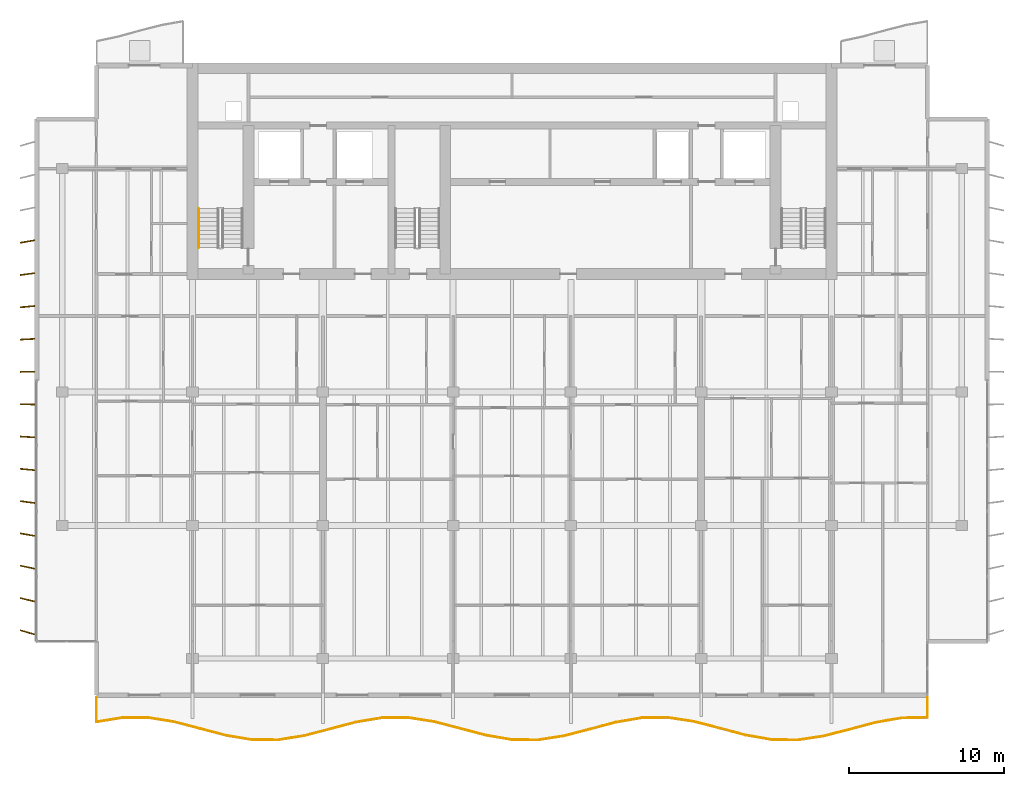
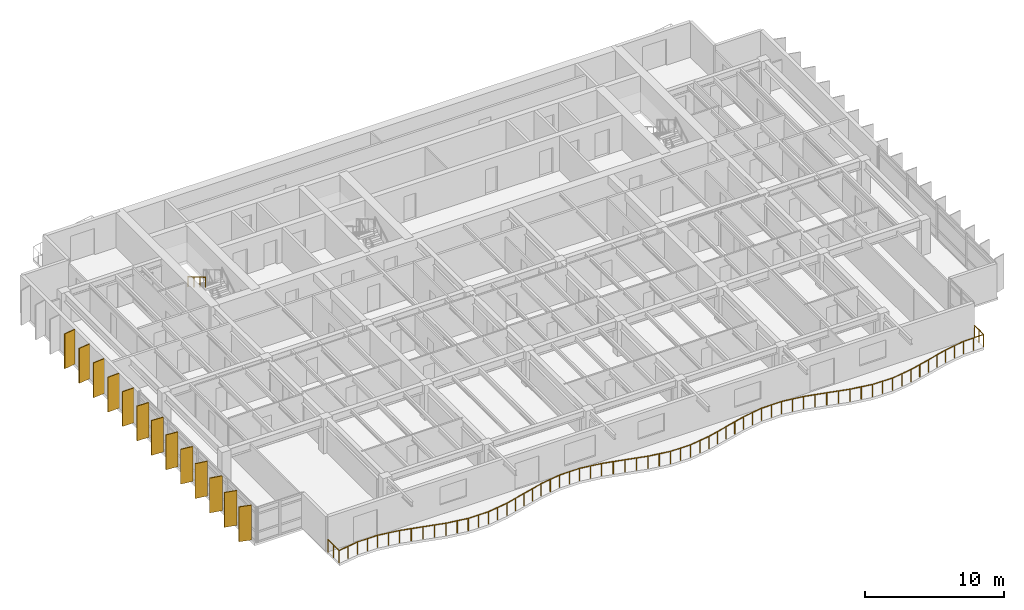
# One storey, part 13 of 17: 13 shading devices, 2 railings.
"""IFC4 building model written with IfcOpenShell, lengths in metres."""

from ifc_helpers import new_model, si_unit, direction, frame, origin, origin_2d, place, context, subcontext, project, spatial, rectangle, circle, extrude, material, material_profile, profile_set, type_object, element, save


model = new_model("IFC4")

# Units and contexts
model_context = context("Model", 3, precision=1e-05, world=origin(), true_north=direction((0.0, 1.0)))
body_context = subcontext(model_context, "Body", "Model", "MODEL_VIEW")
ifc_project = project(units=[si_unit("LENGTHUNIT", "METRE"), si_unit("AREAUNIT", "SQUARE_METRE"), si_unit("VOLUMEUNIT", "CUBIC_METRE"), si_unit("PLANEANGLEUNIT", "RADIAN"), si_unit("MASSUNIT", "GRAM", prefix="KILO")], contexts=[model_context])

# Site, building, storey
site_placement = place(None, origin())
site = spatial("IfcSite", under=ifc_project, at=site_placement, CompositionType="ELEMENT")
building_placement = place(site_placement, origin())
building = spatial("IfcBuilding", under=site, at=building_placement, Name="Caelmar Bay Residences", CompositionType="ELEMENT")
storey_placement = place(building_placement, frame((0.0, 0.0, 259.5)))
storey = spatial("IfcBuildingStorey", under=building, at=storey_placement, Name="L73", CompositionType="ELEMENT", Elevation=259.5)

# Railings
ifc_material_1 = material(Name="Anodised bronze handrail with laminated hurricane glass infill", Category="glass")
railing_type_1 = type_object("IfcRailingType", Name="RL-BAL-1100", PredefinedType="BALUSTRADE", material=ifc_material_1)
railing_1_placement = place(storey_placement, frame((12.10009765625, 9.699951171875, 0.0)))
element("IfcRailing", 1, at=railing_1_placement, inside=storey, type_object=railing_type_1, Name="L73 south Balcony Balustrade", PredefinedType="BALUSTRADE", context=body_context, shape_type="SweptSolid", body=[
    extrude(circle(Radius=0.02392578125, at=origin_2d()), frame((0.0, 0.0, 1.076171875), z_axis=(0.0, -1.0, 0.0), x_axis=(1.0, 0.0, 0.0)), (0.0, 0.0, 1.0), 1.5791015625),
    extrude(circle(Radius=0.02392578125, at=origin_2d()), frame((0.0, -1.5791015625, 1.076171875), z_axis=(0.987069814186, 0.160290929009, 0.0), x_axis=(-0.160290929009, 0.987069814186, 0.0)), (0.0, 0.0, 1.0), 1.69677734375),
    extrude(circle(Radius=0.02392578125, at=origin_2d()), frame((1.6748046875, -1.30712890625, 1.076171875), z_axis=(0.999999617618, 0.000874507755, 0.0), x_axis=(-0.000874507755, 0.999999617618, 0.0)), (0.0, 0.0, 1.0), 1.675048828125),
    extrude(circle(Radius=0.02392578125, at=origin_2d()), frame((3.349853515625, -1.3056640625, 1.076171875), z_axis=(0.987254980972, -0.15914648141, 0.0), x_axis=(0.15914648141, 0.987254980972, 0.0)), (0.0, 0.0, 1.0), 1.69677734375),
    extrude(circle(Radius=0.02392578125, at=origin_2d()), frame((5.02490234375, -1.57568359375, 1.076171875), z_axis=(0.967369754979, -0.253368816455, 0.0), x_axis=(0.253368816455, 0.967369754979, 0.0)), (0.0, 0.0, 1.0), 1.7314453125),
    extrude(circle(Radius=0.02392578125, at=origin_2d()), frame((6.699951171875, -2.014404296875, 1.076171875), z_axis=(0.967092793204, -0.254423916591, 0.0), x_axis=(0.254423916591, 0.967092793204, 0.0)), (0.0, 0.0, 1.0), 1.73193359375),
    extrude(circle(Radius=0.02392578125, at=origin_2d()), frame((8.375, -2.455078125, 1.076171875), z_axis=(0.986749248212, -0.162252646062, 0.0), x_axis=(0.162252646062, 0.986749248212, 0.0)), (0.0, 0.0, 1.0), 1.697265625),
    extrude(circle(Radius=0.02392578125, at=origin_2d()), frame((10.0498046875, -2.73046875, 1.076171875), z_axis=(0.999993881941, -0.003498010956, 0.0), x_axis=(0.003498010956, 0.999993881941, 0.0)), (0.0, 0.0, 1.0), 1.675048828125),
    extrude(circle(Radius=0.02392578125, at=origin_2d()), frame((11.724853515625, -2.736328125, 1.076171875), z_axis=(0.987591978571, 0.157041662822, 0.0), x_axis=(-0.157041662822, 0.987591978571, 0.0)), (0.0, 0.0, 1.0), 1.696044921875),
    extrude(circle(Radius=0.02392578125, at=origin_2d()), frame((13.39990234375, -2.469970703125, 1.076171875), z_axis=(0.967542351628, 0.252708919125, 0.0), x_axis=(-0.252708919125, 0.967542351628, 0.0)), (0.0, 0.0, 1.0), 1.731201171875),
    extrude(circle(Radius=0.02392578125, at=origin_2d()), frame((15.074951171875, -2.032470703125, 1.076171875), z_axis=(0.966919188711, 0.255082893393, 0.0), x_axis=(-0.255082893393, 0.966919188711, 0.0)), (0.0, 0.0, 1.0), 1.732421875),
    extrude(circle(Radius=0.02392578125, at=origin_2d()), frame((16.75, -1.590576171875, 1.076171875), z_axis=(0.98640169518, 0.164352352419, 0.0), x_axis=(-0.164352352419, 0.98640169518, 0.0)), (0.0, 0.0, 1.0), 1.697998046875),
    extrude(circle(Radius=0.02392578125, at=origin_2d()), frame((18.4248046875, -1.3115234375, 1.076171875), z_axis=(0.999983005669, 0.00582995485, 0.0), x_axis=(-0.00582995485, 0.999983005669, 0.0)), (0.0, 0.0, 1.0), 1.675048828125),
    extrude(circle(Radius=0.02392578125, at=origin_2d()), frame((20.099853515625, -1.3017578125, 1.076171875), z_axis=(0.987924712766, -0.154934702075, 0.0), x_axis=(0.154934702075, 0.987924712766, 0.0)), (0.0, 0.0, 1.0), 1.695556640625),
    extrude(circle(Radius=0.02392578125, at=origin_2d()), frame((21.77490234375, -1.564453125, 1.076171875), z_axis=(0.967783333474, -0.251784470231, 0.0), x_axis=(0.251784470231, 0.967783333474, 0.0)), (0.0, 0.0, 1.0), 1.730712890625),
    extrude(circle(Radius=0.02392578125, at=origin_2d()), frame((23.449951171875, -2.000244140625, 1.076171875), z_axis=(0.966710353351, -0.255873196573, 0.0), x_axis=(0.255873196573, 0.966710353351, 0.0)), (0.0, 0.0, 1.0), 1.732666015625),
    extrude(circle(Radius=0.02392578125, at=origin_2d()), frame((25.125, -2.443603515625, 1.076171875), z_axis=(0.986097071045, -0.166170293605, 0.0), x_axis=(0.166170293605, 0.986097071045, 0.0)), (0.0, 0.0, 1.0), 1.698486328125),
    extrude(circle(Radius=0.02392578125, at=origin_2d()), frame((26.7998046875, -2.725830078125, 1.076171875), z_axis=(0.999963027816, -0.008599011608, 0.0), x_axis=(0.008599011608, 0.999963027816, 0.0)), (0.0, 0.0, 1.0), 1.675048828125),
    extrude(circle(Radius=0.02392578125, at=origin_2d()), frame((28.474853515625, -2.740234375, 1.076171875), z_axis=(0.98823140632, 0.152966295513, 0.0), x_axis=(-0.152966295513, 0.98823140632, 0.0)), (0.0, 0.0, 1.0), 1.695068359375),
    extrude(circle(Radius=0.02392578125, at=origin_2d()), frame((30.14990234375, -2.48095703125, 1.076171875), z_axis=(0.967989281266, 0.250991536419, 0.0), x_axis=(-0.250991536419, 0.967989281266, 0.0)), (0.0, 0.0, 1.0), 1.73046875),
    extrude(circle(Radius=0.02392578125, at=origin_2d()), frame((31.824951171875, -2.046630859375, 1.076171875), z_axis=(0.966535899722, 0.256531390962, 0.0), x_axis=(-0.256531390962, 0.966535899722, 0.0)), (0.0, 0.0, 1.0), 1.733154296875),
    extrude(circle(Radius=0.02392578125, at=origin_2d()), frame((33.5, -1.60205078125, 1.076171875), z_axis=(0.985765482571, 0.168126182887, 0.0), x_axis=(-0.168126182887, 0.985765482571, 0.0)), (0.0, 0.0, 1.0), 1.698974609375),
    extrude(circle(Radius=0.02392578125, at=origin_2d()), frame((35.1748046875, -1.31640625, 1.076171875), z_axis=(0.999938654546, 0.011076422933, 0.0), x_axis=(-0.011076422933, 0.999938654546, 0.0)), (0.0, 0.0, 1.0), 1.675048828125),
    extrude(circle(Radius=0.02392578125, at=origin_2d()), frame((36.849853515625, -1.2978515625, 1.076171875), z_axis=(0.98855586007, -0.150855266797, 0.0), x_axis=(0.150855266797, 0.98855586007, 0.0)), (0.0, 0.0, 1.0), 1.6943359375),
    extrude(circle(Radius=0.02392578125, at=origin_2d()), frame((38.52490234375, -1.553466796875, 1.076171875), z_axis=(0.968194666502, -0.250198097028, 0.0), x_axis=(0.250198097028, 0.968194666502, 0.0)), (0.0, 0.0, 1.0), 1.72998046875),
    extrude(circle(Radius=0.02392578125, at=origin_2d()), frame((40.199951171875, -1.986328125, 1.076171875), z_axis=(0.966396059685, -0.257057689684, 0.0), x_axis=(0.257057689684, 0.966396059685, 0.0)), (0.0, 0.0, 1.0), 1.7333984375),
    extrude(circle(Radius=0.02392578125, at=origin_2d()), frame((41.875, -2.431884765625, 1.076171875), z_axis=(0.98540615772, -0.170219576807, 0.0), x_axis=(0.170219576807, 0.98540615772, 0.0)), (0.0, 0.0, 1.0), 1.69970703125),
    extrude(circle(Radius=0.02392578125, at=origin_2d()), frame((43.5498046875, -2.72119140625, 1.076171875), z_axis=(0.999906159624, -0.013699341059, 0.0), x_axis=(0.013699341059, 0.999906159624, 0.0)), (0.0, 0.0, 1.0), 1.67529296875),
    extrude(circle(Radius=0.02392578125, at=origin_2d()), frame((45.224853515625, -2.744140625, 1.076171875), z_axis=(0.988854802214, 0.148883108976, 0.0), x_axis=(-0.148883108976, 0.988854802214, 0.0)), (0.0, 0.0, 1.0), 1.69384765625),
    extrude(circle(Radius=0.02392578125, at=origin_2d()), frame((46.89990234375, -2.491943359375, 1.076171875), z_axis=(0.968399487997, 0.249404153227, 0.0), x_axis=(-0.249404153227, 0.968399487997, 0.0)), (0.0, 0.0, 1.0), 1.729736328125),
    extrude(circle(Radius=0.02392578125, at=origin_2d()), frame((48.574951171875, -2.060546875, 1.076171875), z_axis=(0.966220913805, 0.257715241548, 0.0), x_axis=(-0.257715241548, 0.966220913805, 0.0)), (0.0, 0.0, 1.0), 1.733642578125),
    extrude(circle(Radius=0.02392578125, at=origin_2d()), frame((50.25, -1.61376953125, 1.076171875), z_axis=(0.985091363436, 0.172031990291, 0.0), x_axis=(-0.172031990291, 0.985091363436, 0.0)), (0.0, 0.0, 1.0), 1.7001953125),
    extrude(circle(Radius=0.02392578125, at=origin_2d()), frame((51.9248046875, -1.3212890625, 1.076171875), z_axis=(0.99986678767, 0.01632197642, 0.0), x_axis=(-0.01632197642, 0.99986678767, 0.0)), (0.0, 0.0, 1.0), 1.67529296875),
    extrude(circle(Radius=0.02392578125, at=origin_2d()), frame((53.599853515625, -1.2939453125, 1.076171875), z_axis=(0.0, 1.0, 0.0), x_axis=(-1.0, 0.0, 0.0)), (0.0, 0.0, 1.0), 1.2939453125),
    extrude(circle(Radius=0.02099609375, at=origin_2d()), origin(), (0.0, 0.0, 1.0), 1.052001953125),
    extrude(circle(Radius=0.02099609375, at=origin_2d()), frame((0.0, -0.78955078125, 0.0)), (0.0, 0.0, 1.0), 1.052001953125),
    extrude(circle(Radius=0.02099609375, at=origin_2d()), frame((0.0, -1.5791015625, 0.0)), (0.0, 0.0, 1.0), 1.052001953125),
    extrude(circle(Radius=0.02099609375, at=origin_2d()), frame((0.83740234375, -1.443115234375, 0.0)), (0.0, 0.0, 1.0), 1.052001953125),
    extrude(circle(Radius=0.02099609375, at=origin_2d()), frame((1.6748046875, -1.30712890625, 0.0)), (0.0, 0.0, 1.0), 1.052001953125),
    extrude(circle(Radius=0.02099609375, at=origin_2d()), frame((2.51220703125, -1.306396484375, 0.0)), (0.0, 0.0, 1.0), 1.052001953125),
    extrude(circle(Radius=0.02099609375, at=origin_2d()), frame((3.349853515625, -1.3056640625, 0.0)), (0.0, 0.0, 1.0), 1.052001953125),
    extrude(circle(Radius=0.02099609375, at=origin_2d()), frame((4.1875, -1.440673828125, 0.0)), (0.0, 0.0, 1.0), 1.052001953125),
    extrude(circle(Radius=0.02099609375, at=origin_2d()), frame((5.02490234375, -1.57568359375, 0.0)), (0.0, 0.0, 1.0), 1.052001953125),
    extrude(circle(Radius=0.02099609375, at=origin_2d()), frame((5.8623046875, -1.794921875, 0.0)), (0.0, 0.0, 1.0), 1.052001953125),
    extrude(circle(Radius=0.02099609375, at=origin_2d()), frame((6.699951171875, -2.014404296875, 0.0)), (0.0, 0.0, 1.0), 1.052001953125),
    extrude(circle(Radius=0.02099609375, at=origin_2d()), frame((7.53759765625, -2.23486328125, 0.0)), (0.0, 0.0, 1.0), 1.052001953125),
    extrude(circle(Radius=0.02099609375, at=origin_2d()), frame((8.375, -2.455078125, 0.0)), (0.0, 0.0, 1.0), 1.052001953125),
    extrude(circle(Radius=0.02099609375, at=origin_2d()), frame((9.21240234375, -2.5927734375, 0.0)), (0.0, 0.0, 1.0), 1.052001953125),
    extrude(circle(Radius=0.02099609375, at=origin_2d()), frame((10.0498046875, -2.73046875, 0.0)), (0.0, 0.0, 1.0), 1.052001953125),
    extrude(circle(Radius=0.02099609375, at=origin_2d()), frame((10.88720703125, -2.7333984375, 0.0)), (0.0, 0.0, 1.0), 1.052001953125),
    extrude(circle(Radius=0.02099609375, at=origin_2d()), frame((11.724853515625, -2.736328125, 0.0)), (0.0, 0.0, 1.0), 1.052001953125),
    extrude(circle(Radius=0.02099609375, at=origin_2d()), frame((12.5625, -2.60302734375, 0.0)), (0.0, 0.0, 1.0), 1.052001953125),
    extrude(circle(Radius=0.02099609375, at=origin_2d()), frame((13.39990234375, -2.469970703125, 0.0)), (0.0, 0.0, 1.0), 1.052001953125),
    extrude(circle(Radius=0.02099609375, at=origin_2d()), frame((14.2373046875, -2.251220703125, 0.0)), (0.0, 0.0, 1.0), 1.052001953125),
    extrude(circle(Radius=0.02099609375, at=origin_2d()), frame((15.074951171875, -2.032470703125, 0.0)), (0.0, 0.0, 1.0), 1.052001953125),
    extrude(circle(Radius=0.02099609375, at=origin_2d()), frame((15.91259765625, -1.8115234375, 0.0)), (0.0, 0.0, 1.0), 1.052001953125),
    extrude(circle(Radius=0.02099609375, at=origin_2d()), frame((16.75, -1.590576171875, 0.0)), (0.0, 0.0, 1.0), 1.052001953125),
    extrude(circle(Radius=0.02099609375, at=origin_2d()), frame((17.58740234375, -1.451171875, 0.0)), (0.0, 0.0, 1.0), 1.052001953125),
    extrude(circle(Radius=0.02099609375, at=origin_2d()), frame((18.4248046875, -1.3115234375, 0.0)), (0.0, 0.0, 1.0), 1.052001953125),
    extrude(circle(Radius=0.02099609375, at=origin_2d()), frame((19.26220703125, -1.306640625, 0.0)), (0.0, 0.0, 1.0), 1.052001953125),
    extrude(circle(Radius=0.02099609375, at=origin_2d()), frame((20.099853515625, -1.3017578125, 0.0)), (0.0, 0.0, 1.0), 1.052001953125),
    extrude(circle(Radius=0.02099609375, at=origin_2d()), frame((20.9375, -1.43310546875, 0.0)), (0.0, 0.0, 1.0), 1.052001953125),
    extrude(circle(Radius=0.02099609375, at=origin_2d()), frame((21.77490234375, -1.564453125, 0.0)), (0.0, 0.0, 1.0), 1.052001953125),
    extrude(circle(Radius=0.02099609375, at=origin_2d()), frame((22.6123046875, -1.7822265625, 0.0)), (0.0, 0.0, 1.0), 1.052001953125),
    extrude(circle(Radius=0.02099609375, at=origin_2d()), frame((23.449951171875, -2.000244140625, 0.0)), (0.0, 0.0, 1.0), 1.052001953125),
    extrude(circle(Radius=0.02099609375, at=origin_2d()), frame((24.28759765625, -2.221923828125, 0.0)), (0.0, 0.0, 1.0), 1.052001953125),
    extrude(circle(Radius=0.02099609375, at=origin_2d()), frame((25.125, -2.443603515625, 0.0)), (0.0, 0.0, 1.0), 1.052001953125),
    extrude(circle(Radius=0.02099609375, at=origin_2d()), frame((25.96240234375, -2.584716796875, 0.0)), (0.0, 0.0, 1.0), 1.052001953125),
    extrude(circle(Radius=0.02099609375, at=origin_2d()), frame((26.7998046875, -2.725830078125, 0.0)), (0.0, 0.0, 1.0), 1.052001953125),
    extrude(circle(Radius=0.02099609375, at=origin_2d()), frame((27.63720703125, -2.73291015625, 0.0)), (0.0, 0.0, 1.0), 1.052001953125),
    extrude(circle(Radius=0.02099609375, at=origin_2d()), frame((28.474853515625, -2.740234375, 0.0)), (0.0, 0.0, 1.0), 1.052001953125),
    extrude(circle(Radius=0.02099609375, at=origin_2d()), frame((29.3125, -2.610595703125, 0.0)), (0.0, 0.0, 1.0), 1.052001953125),
    extrude(circle(Radius=0.02099609375, at=origin_2d()), frame((30.14990234375, -2.48095703125, 0.0)), (0.0, 0.0, 1.0), 1.052001953125),
    extrude(circle(Radius=0.02099609375, at=origin_2d()), frame((30.9873046875, -2.263671875, 0.0)), (0.0, 0.0, 1.0), 1.052001953125),
    extrude(circle(Radius=0.02099609375, at=origin_2d()), frame((31.824951171875, -2.046630859375, 0.0)), (0.0, 0.0, 1.0), 1.052001953125),
    extrude(circle(Radius=0.02099609375, at=origin_2d()), frame((32.66259765625, -1.82421875, 0.0)), (0.0, 0.0, 1.0), 1.052001953125),
    extrude(circle(Radius=0.02099609375, at=origin_2d()), frame((33.5, -1.60205078125, 0.0)), (0.0, 0.0, 1.0), 1.052001953125),
    extrude(circle(Radius=0.02099609375, at=origin_2d()), frame((34.33740234375, -1.459228515625, 0.0)), (0.0, 0.0, 1.0), 1.052001953125),
    extrude(circle(Radius=0.02099609375, at=origin_2d()), frame((35.1748046875, -1.31640625, 0.0)), (0.0, 0.0, 1.0), 1.052001953125),
    extrude(circle(Radius=0.02099609375, at=origin_2d()), frame((36.01220703125, -1.30712890625, 0.0)), (0.0, 0.0, 1.0), 1.052001953125),
    extrude(circle(Radius=0.02099609375, at=origin_2d()), frame((36.849853515625, -1.2978515625, 0.0)), (0.0, 0.0, 1.0), 1.052001953125),
    extrude(circle(Radius=0.02099609375, at=origin_2d()), frame((37.6875, -1.42578125, 0.0)), (0.0, 0.0, 1.0), 1.052001953125),
    extrude(circle(Radius=0.02099609375, at=origin_2d()), frame((38.52490234375, -1.553466796875, 0.0)), (0.0, 0.0, 1.0), 1.052001953125),
    extrude(circle(Radius=0.02099609375, at=origin_2d()), frame((39.3623046875, -1.77001953125, 0.0)), (0.0, 0.0, 1.0), 1.052001953125),
    extrude(circle(Radius=0.02099609375, at=origin_2d()), frame((40.199951171875, -1.986328125, 0.0)), (0.0, 0.0, 1.0), 1.052001953125),
    extrude(circle(Radius=0.02099609375, at=origin_2d()), frame((41.03759765625, -2.208984375, 0.0)), (0.0, 0.0, 1.0), 1.052001953125),
    extrude(circle(Radius=0.02099609375, at=origin_2d()), frame((41.875, -2.431884765625, 0.0)), (0.0, 0.0, 1.0), 1.052001953125),
    extrude(circle(Radius=0.02099609375, at=origin_2d()), frame((42.71240234375, -2.57666015625, 0.0)), (0.0, 0.0, 1.0), 1.052001953125),
    extrude(circle(Radius=0.02099609375, at=origin_2d()), frame((43.5498046875, -2.72119140625, 0.0)), (0.0, 0.0, 1.0), 1.052001953125),
    extrude(circle(Radius=0.02099609375, at=origin_2d()), frame((44.38720703125, -2.732666015625, 0.0)), (0.0, 0.0, 1.0), 1.052001953125),
    extrude(circle(Radius=0.02099609375, at=origin_2d()), frame((45.224853515625, -2.744140625, 0.0)), (0.0, 0.0, 1.0), 1.052001953125),
    extrude(circle(Radius=0.02099609375, at=origin_2d()), frame((46.0625, -2.6181640625, 0.0)), (0.0, 0.0, 1.0), 1.052001953125),
    extrude(circle(Radius=0.02099609375, at=origin_2d()), frame((46.89990234375, -2.491943359375, 0.0)), (0.0, 0.0, 1.0), 1.052001953125),
    extrude(circle(Radius=0.02099609375, at=origin_2d()), frame((47.7373046875, -2.2763671875, 0.0)), (0.0, 0.0, 1.0), 1.052001953125),
    extrude(circle(Radius=0.02099609375, at=origin_2d()), frame((48.574951171875, -2.060546875, 0.0)), (0.0, 0.0, 1.0), 1.052001953125),
    extrude(circle(Radius=0.02099609375, at=origin_2d()), frame((49.41259765625, -1.837158203125, 0.0)), (0.0, 0.0, 1.0), 1.052001953125),
    extrude(circle(Radius=0.02099609375, at=origin_2d()), frame((50.25, -1.61376953125, 0.0)), (0.0, 0.0, 1.0), 1.052001953125),
    extrude(circle(Radius=0.02099609375, at=origin_2d()), frame((51.08740234375, -1.467529296875, 0.0)), (0.0, 0.0, 1.0), 1.052001953125),
    extrude(circle(Radius=0.02099609375, at=origin_2d()), frame((51.9248046875, -1.3212890625, 0.0)), (0.0, 0.0, 1.0), 1.052001953125),
    extrude(circle(Radius=0.02099609375, at=origin_2d()), frame((52.76220703125, -1.3076171875, 0.0)), (0.0, 0.0, 1.0), 1.052001953125),
    extrude(circle(Radius=0.02099609375, at=origin_2d()), frame((53.599853515625, -1.2939453125, 0.0)), (0.0, 0.0, 1.0), 1.052001953125),
    extrude(circle(Radius=0.02099609375, at=origin_2d()), frame((53.599853515625, -0.64697265625, 0.0)), (0.0, 0.0, 1.0), 1.052001953125),
    extrude(circle(Radius=0.02099609375, at=origin_2d()), frame((53.599853515625, 0.0, 0.0)), (0.0, 0.0, 1.0), 1.052001953125),
])
ifc_material_2 = material(Name="Brushed bronze stainless-steel tubular handrail 900 mm", Category="steel")
railing_type_2 = type_object("IfcRailingType", Name="RL-HND-900", PredefinedType="HANDRAIL", material=ifc_material_2)
railing_2_placement = place(storey_placement, frame((18.699951171875, 41.219970703125, 1.81494140625)))
element("IfcRailing", 2, at=railing_2_placement, inside=storey, type_object=railing_type_2, Name="L73 ST1 stair handrail 2", PredefinedType="HANDRAIL", context=body_context, shape_type="SweptSolid", body=[
    extrude(circle(Radius=0.02392578125, at=origin_2d()), frame((0.0, 0.0, 0.8759765625), z_axis=(0.0, -0.86152411907, 0.507716645641), x_axis=(1.0, 0.0, 0.0)), (0.0, 0.0, 1.0), 2.925048828125),
    extrude(circle(Radius=0.02099609375, at=origin_2d()), origin(), (0.0, 0.0, 1.0), 0.851806640625),
    extrude(circle(Radius=0.02099609375, at=origin_2d()), frame((0.0, -0.840087890625, 0.4951171875)), (0.0, 0.0, 1.0), 0.851806640625),
    extrude(circle(Radius=0.02099609375, at=origin_2d()), frame((0.0, -1.679931640625, 0.989990234375)), (0.0, 0.0, 1.0), 0.851806640625),
    extrude(circle(Radius=0.02099609375, at=origin_2d()), frame((0.0, -2.52001953125, 1.485107421875)), (0.0, 0.0, 1.0), 0.851806640625),
])

# Shading devices
ifc_material_3 = material(Name="Anodised architectural bronze aluminium 6063-T6", Category="aluminium")
ifc_material_profile = material_profile(ifc_material_3, rectangle(XDim=0.074951171875, YDim=0.949951171875, at=origin_2d()), Name="BRONZE-FIN-75X950")
ifc_profile_set = profile_set([ifc_material_profile], Name="Anodised architectural bronze aluminium 6063-T6")
shading_device_type = type_object("IfcShadingDeviceType", Name="SHD-FIN-950", PredefinedType="USERDEFINED", material=ifc_profile_set)
for number, where, z_axis, x_axis, name in (
    (3, (7.64990234375, 13.89990234375, 0.0), (0.0, 0.0, 1.0), (0.275637355817, 0.961261695938, 0.0), "L73 West Bronze Solar Fin 1"),
    (4, (7.64990234375, 16.0, 0.0), (0.0, 0.0, 1.0), (0.239719743609, 0.970842131618, 0.0), "L73 West Bronze Solar Fin 2"),
    (5, (7.64990234375, 18.10009765625, 0.0), (0.0, 0.0, 1.0), (0.2032999874, 0.979116497217, 0.0), "L73 West Bronze Solar Fin 3"),
    (6, (7.64990234375, 20.199951171875, 0.0), (0.0, 0.0, 1.0), (0.166768746716, 0.985996037071, 0.0), "L73 West Bronze Solar Fin 4"),
    (7, (7.64990234375, 22.300048828125, 0.0), (0.0, 0.0, 1.0), (0.130007055036, 0.99151306882, 0.0), "L73 West Bronze Solar Fin 5"),
    (8, (7.64990234375, 24.39990234375, 0.0), (0.0, 0.0, 1.0), (0.092891934994, 0.995676196569, 0.0), "L73 West Bronze Solar Fin 6"),
    (9, (7.64990234375, 26.5, 0.0), (0.0, 0.0, 1.0), (0.055821504993, 0.998440764182, 0.0), "L73 West Bronze Solar Fin 7"),
    (10, (7.64990234375, 28.60009765625, 0.0), (0.0, 0.0, 1.0), (0.018673937509, 0.999825626826, 0.0), "L73 West Bronze Solar Fin 8"),
    (11, (7.64990234375, 30.699951171875, 0.0), (0.0, 0.0, 1.0), (-0.018673937509, 0.999825626826, 0.0), "L73 West Bronze Solar Fin 9"),
    (12, (7.64990234375, 32.800048828125, 0.0), (0.0, 0.0, 1.0), (-0.055821504993, 0.998440764182, 0.0), "L73 West Bronze Solar Fin 10"),
    (13, (7.64990234375, 34.89990234375, 0.0), (0.0, 0.0, 1.0), (-0.092891934994, 0.995676196569, 0.0), "L73 West Bronze Solar Fin 11"),
    (14, (7.64990234375, 37.0, 0.0), (0.0, 0.0, 1.0), (-0.130007055036, 0.99151306882, 0.0), "L73 West Bronze Solar Fin 12"),
    (15, (7.64990234375, 39.10009765625, 0.0), (0.0, 0.0, 1.0), (-0.166768746716, 0.985996037071, 0.0), "L73 West Bronze Solar Fin 13"),
):
    element("IfcShadingDevice", number, at=place(storey_placement, frame(where, z_axis=z_axis, x_axis=x_axis)), inside=storey, type_object=shading_device_type, Name=name, ObjectType="FIN", PredefinedType="USERDEFINED", context=body_context, shape_type="SweptSolid", body=[
        extrude(rectangle(XDim=0.074951171875, YDim=0.949951171875, at=origin_2d()), origin(), (0.0, 0.0, 1.0), 3.050048828125),
    ])

save(model, "model.ifc")
